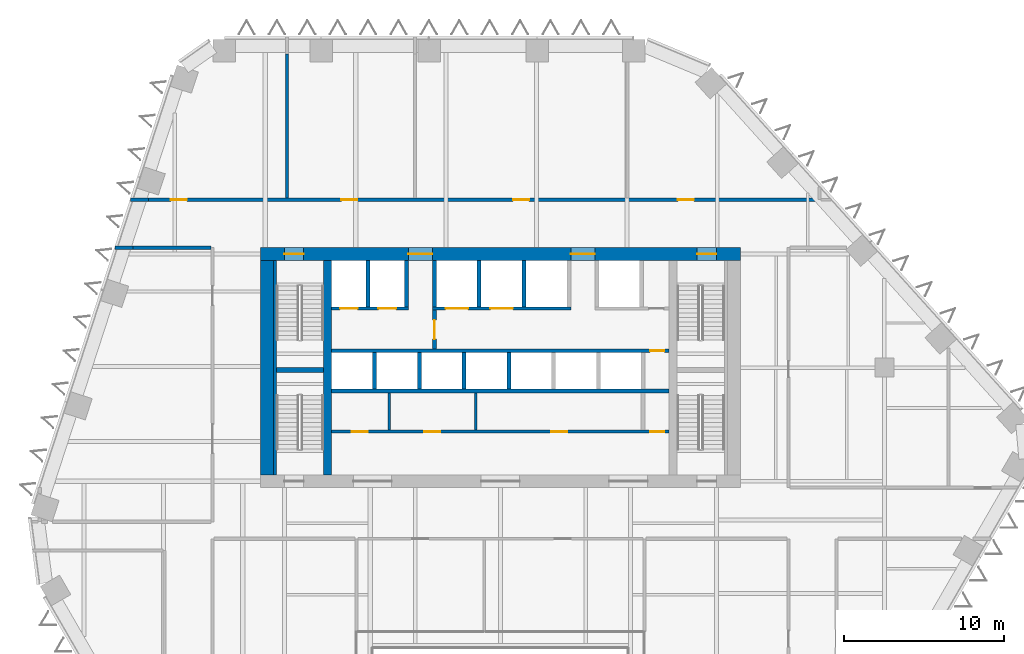
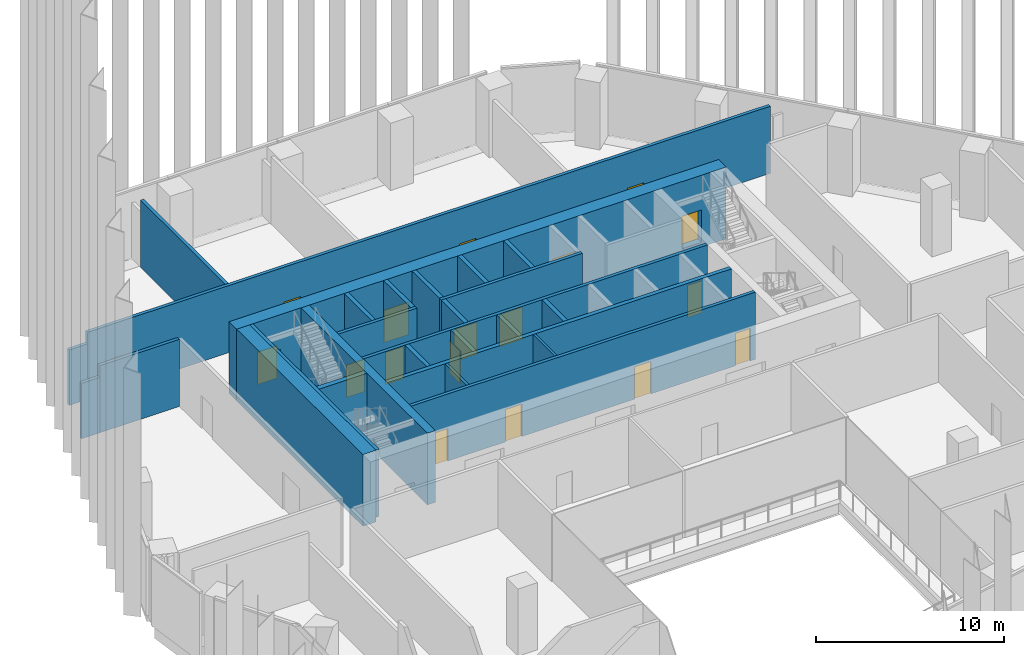
# One storey, part 12 of 18: 27 walls, 18 doors, 18 openings.
"""IFC4 building model written with IfcOpenShell, lengths in metres."""

from ifc_helpers import new_model, si_unit, direction, frame, frame_2d, origin, place, context, subcontext, project, spatial, rectangle, extrude, material, layer, layer_set, type_object, element, fill, save


model = new_model("IFC4")

# Units and contexts
model_context = context("Model", 3, precision=1e-05, world=origin(), true_north=direction((0.0, 1.0)))
body_context = subcontext(model_context, "Body", "Model", "MODEL_VIEW")
ifc_project = project(units=[si_unit("LENGTHUNIT", "METRE"), si_unit("AREAUNIT", "SQUARE_METRE"), si_unit("VOLUMEUNIT", "CUBIC_METRE"), si_unit("PLANEANGLEUNIT", "RADIAN"), si_unit("MASSUNIT", "GRAM", prefix="KILO")], contexts=[model_context])

# Site, building, storey
site_placement = place(None, origin())
site = spatial("IfcSite", under=ifc_project, at=site_placement, CompositionType="ELEMENT")
building_placement = place(site_placement, origin())
building = spatial("IfcBuilding", under=site, at=building_placement, Name="Isthmus Gate Tower", CompositionType="ELEMENT")
storey_placement = place(building_placement, frame((0.0, 0.0, 166.300048828125)))
storey = spatial("IfcBuildingStorey", under=building, at=storey_placement, Name="L41", CompositionType="ELEMENT", Elevation=166.300048828125)

# Wall, opening, door
ifc_material_1 = material(Name="Fire-rated blockwork masonry, 15 MPa", Category="masonry")
ifc_layer_1 = layer(ifc_material_1, 0.25)
ifc_layer_set_1 = layer_set([ifc_layer_1], Name="FIRE-FIGHTING LOBBY WALL 250 90 MIN")
wall_type_1 = type_object("IfcWallType", Name="FIRE-FIGHTING LOBBY WALL 250 90 MIN", PredefinedType="PARTITIONING", material=ifc_layer_set_1)
wall_1_placement = place(storey_placement, frame((-4.125, 8.64990234375, 0.0), z_axis=(0.0, 0.0, 1.0), x_axis=(0.0, 1.0, 0.0)))
wall_1 = element("IfcWall", 1, at=wall_1_placement, inside=storey, type_object=wall_type_1, Name="L41 FIRE-FIGHTING LOBBY WALL 250 90 MIN", PredefinedType="PARTITIONING", context=body_context, shape_type="SweptSolid", body=[
    extrude(rectangle(XDim=2.4501953125, YDim=0.25, at=frame_2d((1.22509765625, 0.0))), origin(), (0.0, 0.0, 1.0), 4.349853515625),
])
opening_1_placement = place(wall_1_placement, frame((0.625, 0.0, 0.0)))
opening_1 = element("IfcOpeningElement", 2, at=opening_1_placement, cuts=wall_1, Name="Opening DC-A14-01", PredefinedType="OPENING", context=body_context, shape_type="SweptSolid", body=[
    extrude(rectangle(XDim=1.199951171875, YDim=2.10009765625, at=frame_2d((0.60009765625, 1.050048828125))), frame((0.0, 0.135009765625, 0.0), z_axis=(0.0, -1.0, 0.0), x_axis=(1.0, 0.0, 0.0)), (0.0, 0.0, 1.0), 0.27001953125),
])
ifc_material_2 = material(Name="Steel door leaf, fire-rated", Category="steel")
door_type_1 = type_object("IfcDoorType", Name="LOBBY FIRE DOOR 1200 X 2100 90 MIN", OperationType="DOUBLE_DOOR_SINGLE_SWING", PredefinedType="DOOR", material=ifc_material_2)
door_1_placement = place(opening_1_placement, origin())
door_1 = element("IfcDoor", 3, at=door_1_placement, inside=storey, type_object=door_type_1, Name="Fire-fighting Lobby Door", OperationType="SINGLE_SWING_LEFT", OverallHeight=2.10009765625, OverallWidth=1.199951171875, PredefinedType="DOOR", context=body_context, shape_type="SweptSolid", body=[
    extrude(rectangle(XDim=1.199951171875, YDim=2.10009765625, at=frame_2d((0.60009765625, 1.050048828125))), frame((0.0, 0.02490234375, 0.0), z_axis=(0.0, -1.0, 0.0), x_axis=(1.0, 0.0, 0.0)), (0.0, 0.0, 1.0), 0.050048828125),
])
fill(opening_1, door_1)

# Walls
ifc_material_3 = material(Name="Concrete f'c 30 MPa", Category="concrete")
ifc_layer_2 = layer(ifc_material_3, 0.199951171875)
ifc_layer_set_2 = layer_set([ifc_layer_2], Name="Fire-rated block wall 200")
wall_type_2 = type_object("IfcWallType", Name="Fire-rated block wall 200", PredefinedType="PARTITIONING", material=ifc_layer_set_2)
wall_2_placement = place(storey_placement, frame((-24.09375, 15.0, 0.0), z_axis=(0.0, 0.0, 1.0), x_axis=(1.0, 0.0, 0.0)))
element("IfcWall", 4, at=wall_2_placement, inside=storey, type_object=wall_type_2, Name="Fire-rated wall", PredefinedType="PARTITIONING", context=body_context, shape_type="SweptSolid", body=[
    extrude(rectangle(XDim=1.1162109375, YDim=0.199951171875, at=frame_2d((0.55810546875, 0.0))), origin(), (0.0, 0.0, 1.0), 3.599853515625),
])
wall_3_placement = place(storey_placement, frame((-22.9775390625, 15.0, 0.0), z_axis=(0.0, 0.0, 1.0), x_axis=(1.0, 0.0, 0.0)))
element("IfcWall", 5, at=wall_3_placement, inside=storey, type_object=wall_type_2, Name="Fire-rated wall", PredefinedType="PARTITIONING", context=body_context, shape_type="SweptSolid", body=[
    extrude(rectangle(XDim=4.87744140625, YDim=0.199951171875, at=frame_2d((2.438720703125, 0.0))), origin(), (0.0, 0.0, 1.0), 4.349853515625),
])
wall_4_placement = place(storey_placement, frame((-23.118896484375, 18.0, 0.0), z_axis=(0.0, 0.0, 1.0), x_axis=(1.0, 0.0, 0.0)))
element("IfcWall", 6, at=wall_4_placement, inside=storey, type_object=wall_type_2, Name="Fire-rated wall", PredefinedType="PARTITIONING", context=body_context, shape_type="SweptSolid", body=[
    extrude(rectangle(XDim=1.1162109375, YDim=0.199951171875, at=frame_2d((0.55810546875, 0.0))), origin(), (0.0, 0.0, 1.0), 3.599853515625),
])

# Wall, openings, doors
wall_5_placement = place(storey_placement, frame((-22.002685546875, 18.0, 0.0), z_axis=(0.0, 0.0, 1.0), x_axis=(1.0, 0.0, 0.0)))
wall_5 = element("IfcWall", 7, at=wall_5_placement, inside=storey, type_object=wall_type_2, Name="Fire-rated wall", PredefinedType="PARTITIONING", context=body_context, shape_type="SweptSolid", body=[
    extrude(rectangle(XDim=41.8427734375, YDim=0.199951171875, at=frame_2d((20.92138671875, 0.0))), origin(), (0.0, 0.0, 1.0), 4.349853515625),
])
opening_2_placement = place(wall_5_placement, frame((1.39990234375, 0.0, 0.0)))
opening_2 = element("IfcOpeningElement", 8, at=opening_2_placement, cuts=wall_5, Name="Opening DP41-03", PredefinedType="OPENING", context=body_context, shape_type="SweptSolid", body=[
    extrude(rectangle(XDim=1.0, YDim=2.10009765625, at=frame_2d((0.5, 1.050048828125))), frame((0.0, 0.10986328125, 0.0), z_axis=(0.0, -1.0, 0.0), x_axis=(1.0, 0.0, 0.0)), (0.0, 0.0, 1.0), 0.219970703125),
])
opening_3_placement = place(wall_5_placement, frame((12.05224609375, 0.0, 0.0)))
opening_3 = element("IfcOpeningElement", 9, at=opening_3_placement, cuts=wall_5, Name="Opening DP41-04", PredefinedType="OPENING", context=body_context, shape_type="SweptSolid", body=[
    extrude(rectangle(XDim=1.0, YDim=2.10009765625, at=frame_2d((0.5, 1.050048828125))), frame((0.0, 0.10986328125, 0.0), z_axis=(0.0, -1.0, 0.0), x_axis=(1.0, 0.0, 0.0)), (0.0, 0.0, 1.0), 0.219970703125),
])
opening_4_placement = place(wall_5_placement, frame((22.80224609375, 0.0, 0.0)))
opening_4 = element("IfcOpeningElement", 10, at=opening_4_placement, cuts=wall_5, Name="Opening DP41-05", PredefinedType="OPENING", context=body_context, shape_type="SweptSolid", body=[
    extrude(rectangle(XDim=1.0, YDim=2.10009765625, at=frame_2d((0.5, 1.050048828125))), frame((0.0, 0.10986328125, 0.0), z_axis=(0.0, -1.0, 0.0), x_axis=(1.0, 0.0, 0.0)), (0.0, 0.0, 1.0), 0.219970703125),
])
opening_5_placement = place(wall_5_placement, frame((33.09228515625, 0.0, 0.0)))
opening_5 = element("IfcOpeningElement", 11, at=opening_5_placement, cuts=wall_5, Name="Opening DP41-06", PredefinedType="OPENING", context=body_context, shape_type="SweptSolid", body=[
    extrude(rectangle(XDim=1.0, YDim=2.10009765625, at=frame_2d((0.5, 1.050048828125))), frame((0.0, 0.10986328125, 0.0), z_axis=(0.0, -1.0, 0.0), x_axis=(1.0, 0.0, 0.0)), (0.0, 0.0, 1.0), 0.219970703125),
])
ifc_material_4 = material(Name="Steel fire door with intumescent seals", Category="steel")
door_type_2 = type_object("IfcDoorType", Name="Fire door 1000 x 2100", OperationType="SINGLE_SWING_LEFT", PredefinedType="DOOR", material=ifc_material_4)
door_2_placement = place(opening_2_placement, origin())
door_2 = element("IfcDoor", 12, at=door_2_placement, inside=storey, type_object=door_type_2, Name="Door DP41-03", OperationType="SINGLE_SWING_LEFT", OverallHeight=2.10009765625, OverallWidth=1.0, PredefinedType="DOOR", context=body_context, shape_type="SweptSolid", body=[
    extrude(rectangle(XDim=1.0, YDim=2.10009765625, at=frame_2d((0.5, 1.050048828125))), frame((0.0, 0.02490234375, 0.0), z_axis=(0.0, -1.0, 0.0), x_axis=(1.0, 0.0, 0.0)), (0.0, 0.0, 1.0), 0.050048828125),
])
fill(opening_2, door_2)
door_3_placement = place(opening_3_placement, origin())
door_3 = element("IfcDoor", 13, at=door_3_placement, inside=storey, type_object=door_type_2, Name="Door DP41-04", OperationType="SINGLE_SWING_LEFT", OverallHeight=2.10009765625, OverallWidth=1.0, PredefinedType="DOOR", context=body_context, shape_type="SweptSolid", body=[
    extrude(rectangle(XDim=1.0, YDim=2.10009765625, at=frame_2d((0.5, 1.050048828125))), frame((0.0, 0.02490234375, 0.0), z_axis=(0.0, -1.0, 0.0), x_axis=(1.0, 0.0, 0.0)), (0.0, 0.0, 1.0), 0.050048828125),
])
fill(opening_3, door_3)
door_4_placement = place(opening_4_placement, origin())
door_4 = element("IfcDoor", 14, at=door_4_placement, inside=storey, type_object=door_type_2, Name="Door DP41-05", OperationType="SINGLE_SWING_LEFT", OverallHeight=2.10009765625, OverallWidth=1.0, PredefinedType="DOOR", context=body_context, shape_type="SweptSolid", body=[
    extrude(rectangle(XDim=1.0, YDim=2.10009765625, at=frame_2d((0.5, 1.050048828125))), frame((0.0, 0.02490234375, 0.0), z_axis=(0.0, -1.0, 0.0), x_axis=(1.0, 0.0, 0.0)), (0.0, 0.0, 1.0), 0.050048828125),
])
fill(opening_4, door_4)
door_5_placement = place(opening_5_placement, origin())
door_5 = element("IfcDoor", 15, at=door_5_placement, inside=storey, type_object=door_type_2, Name="Door DP41-06", OperationType="SINGLE_SWING_LEFT", OverallHeight=2.10009765625, OverallWidth=1.0, PredefinedType="DOOR", context=body_context, shape_type="SweptSolid", body=[
    extrude(rectangle(XDim=1.0, YDim=2.10009765625, at=frame_2d((0.5, 1.050048828125))), frame((0.0, 0.02490234375, 0.0), z_axis=(0.0, -1.0, 0.0), x_axis=(1.0, 0.0, 0.0)), (0.0, 0.0, 1.0), 0.050048828125),
])
fill(opening_5, door_5)

# Walls
wall_6_placement = place(storey_placement, frame((-13.35009765625, 18.10009765625, 0.0), z_axis=(0.0, 0.0, 1.0), x_axis=(0.0, 1.0, 0.0)))
element("IfcWall", 16, at=wall_6_placement, inside=storey, type_object=wall_type_2, Name="Fire-rated wall", PredefinedType="PARTITIONING", context=body_context, shape_type="SweptSolid", body=[
    extrude(rectangle(XDim=9.0, YDim=0.199951171875, at=frame_2d((4.5, 0.0))), origin(), (0.0, 0.0, 1.0), 4.349853515625),
])
ifc_material_5 = material(Name="Concrete f'c 60 MPa", Category="concrete")
ifc_layer_3 = layer(ifc_material_5, 0.5)
ifc_layer_set_3 = layer_set([ifc_layer_3], Name="RC CORE SPINE WALL 500 F'C 60")
wall_type_3 = type_object("IfcWallType", Name="RC CORE SPINE WALL 500 F'C 60", PredefinedType="SOLIDWALL", material=ifc_layer_set_3)
wall_7_placement = place(storey_placement, frame((-10.800048828125, 0.800048828125, -0.300048828125), z_axis=(0.0, 0.0, 1.0), x_axis=(0.0, 1.0, 0.0)))
element("IfcWall", 17, at=wall_7_placement, inside=storey, type_object=wall_type_3, Name="str-corewall-L41-SPW", PredefinedType="SOLIDWALL", context=body_context, shape_type="SweptSolid", body=[
    extrude(rectangle(XDim=13.39990234375, YDim=0.5, at=frame_2d((6.699951171875, 0.0))), origin(), (0.0, 0.0, 1.0), 4.64990234375),
])

# Wall, openings, doors
ifc_material_6 = material(Name="Concrete f'c 60 MPa", Category="concrete")
ifc_layer_4 = layer(ifc_material_6, 0.800048828125)
ifc_layer_set_4 = layer_set([ifc_layer_4], Name="RC CORE WALL 800 F'C 60")
wall_type_4 = type_object("IfcWallType", Name="RC CORE WALL 800 F'C 60", PredefinedType="SOLIDWALL", material=ifc_layer_set_4)
wall_8_placement = place(storey_placement, frame((-15.0, 14.60009765625, -0.300048828125), z_axis=(0.0, 0.0, 1.0), x_axis=(1.0, 0.0, 0.0)))
wall_8 = element("IfcWall", 18, at=wall_8_placement, inside=storey, type_object=wall_type_4, Name="str-corewall-L41-N", PredefinedType="SOLIDWALL", context=body_context, shape_type="SweptSolid", body=[
    extrude(rectangle(XDim=30.0, YDim=0.800048828125, at=frame_2d((15.0, 0.0))), origin(), (0.0, 0.0, 1.0), 4.64990234375),
])
opening_6_placement = place(wall_8_placement, frame((9.25, 0.0, 0.300048828125)))
opening_6 = element("IfcOpeningElement", 19, at=opening_6_placement, cuts=wall_8, Name="Opening DC-A14-11", PredefinedType="OPENING", context=body_context, shape_type="SweptSolid", body=[
    extrude(rectangle(XDim=1.5, YDim=2.10009765625, at=frame_2d((0.75, 1.050048828125))), frame((0.0, 0.409912109375, 0.0), z_axis=(0.0, -1.0, 0.0), x_axis=(1.0, 0.0, 0.0)), (0.0, 0.0, 1.0), 0.820068359375),
])
opening_7_placement = place(wall_8_placement, frame((19.39990234375, 0.0, 0.300048828125)))
opening_7 = element("IfcOpeningElement", 20, at=opening_7_placement, cuts=wall_8, Name="Opening DC-A14-12", PredefinedType="OPENING", context=body_context, shape_type="SweptSolid", body=[
    extrude(rectangle(XDim=1.5, YDim=2.10009765625, at=frame_2d((0.75, 1.050048828125))), frame((0.0, 0.409912109375, 0.0), z_axis=(0.0, -1.0, 0.0), x_axis=(1.0, 0.0, 0.0)), (0.0, 0.0, 1.0), 0.820068359375),
])
opening_8_placement = place(wall_8_placement, frame((1.5, 0.0, 0.300048828125)))
opening_8 = element("IfcOpeningElement", 21, at=opening_8_placement, cuts=wall_8, Name="Opening DC-A14-13", PredefinedType="OPENING", context=body_context, shape_type="SweptSolid", body=[
    extrude(rectangle(XDim=1.199951171875, YDim=2.10009765625, at=frame_2d((0.60009765625, 1.050048828125))), frame((0.0, 0.409912109375, 0.0), z_axis=(0.0, -1.0, 0.0), x_axis=(1.0, 0.0, 0.0)), (0.0, 0.0, 1.0), 0.820068359375),
])
opening_9_placement = place(wall_8_placement, frame((27.300048828125, 0.0, 0.300048828125)))
opening_9 = element("IfcOpeningElement", 22, at=opening_9_placement, cuts=wall_8, Name="Opening DC-A14-14", PredefinedType="OPENING", context=body_context, shape_type="SweptSolid", body=[
    extrude(rectangle(XDim=1.199951171875, YDim=2.10009765625, at=frame_2d((0.60009765625, 1.050048828125))), frame((0.0, 0.409912109375, 0.0), z_axis=(0.0, -1.0, 0.0), x_axis=(1.0, 0.0, 0.0)), (0.0, 0.0, 1.0), 0.820068359375),
])
ifc_material_7 = material(Name="Steel door leaf, fire-rated", Category="steel")
door_type_3 = type_object("IfcDoorType", Name="LOBBY FIRE DOOR 1500 X 2100 60 MIN", OperationType="DOUBLE_DOOR_SINGLE_SWING", PredefinedType="DOOR", material=ifc_material_7)
door_6_placement = place(opening_7_placement, origin())
door_6 = element("IfcDoor", 23, at=door_6_placement, inside=storey, type_object=door_type_3, Name="Lobby Door PN-E", OperationType="DOUBLE_DOOR_SINGLE_SWING", OverallHeight=2.10009765625, OverallWidth=1.5, PredefinedType="DOOR", context=body_context, shape_type="SweptSolid", body=[
    extrude(rectangle(XDim=1.5, YDim=2.10009765625, at=frame_2d((0.75, 1.050048828125))), frame((0.0, 0.02490234375, 0.0), z_axis=(0.0, -1.0, 0.0), x_axis=(1.0, 0.0, 0.0)), (0.0, 0.0, 1.0), 0.050048828125),
])
fill(opening_7, door_6)
ifc_material_8 = material(Name="Steel door leaf, fire-rated", Category="steel")
door_type_4 = type_object("IfcDoorType", Name="LOBBY FIRE DOOR 1500 X 2100 90 MIN", OperationType="DOUBLE_DOOR_SINGLE_SWING", PredefinedType="DOOR", material=ifc_material_8)
door_7_placement = place(opening_6_placement, origin())
door_7 = element("IfcDoor", 24, at=door_7_placement, inside=storey, type_object=door_type_4, Name="Lobby Door PN-W", OperationType="DOUBLE_DOOR_SINGLE_SWING", OverallHeight=2.10009765625, OverallWidth=1.5, PredefinedType="DOOR", context=body_context, shape_type="SweptSolid", body=[
    extrude(rectangle(XDim=1.5, YDim=2.10009765625, at=frame_2d((0.75, 1.050048828125))), frame((0.0, 0.02490234375, 0.0), z_axis=(0.0, -1.0, 0.0), x_axis=(1.0, 0.0, 0.0)), (0.0, 0.0, 1.0), 0.050048828125),
])
fill(opening_6, door_7)
ifc_material_9 = material(Name="Steel door leaf, fire-rated", Category="steel")
door_type_5 = type_object("IfcDoorType", Name="STAIR FIRE DOOR 1200 X 2100 90 MIN", OperationType="SINGLE_SWING_LEFT", PredefinedType="DOOR", material=ifc_material_9)
door_8_placement = place(opening_8_placement, origin())
door_8 = element("IfcDoor", 25, at=door_8_placement, inside=storey, type_object=door_type_5, Name="Exit Stair 1 Door", OperationType="SINGLE_SWING_RIGHT", OverallHeight=2.10009765625, OverallWidth=1.199951171875, PredefinedType="DOOR", context=body_context, shape_type="SweptSolid", body=[
    extrude(rectangle(XDim=1.199951171875, YDim=2.10009765625, at=frame_2d((0.60009765625, 1.050048828125))), frame((0.0, 0.02490234375, 0.0), z_axis=(0.0, -1.0, 0.0), x_axis=(1.0, 0.0, 0.0)), (0.0, 0.0, 1.0), 0.050048828125),
])
fill(opening_8, door_8)
door_9_placement = place(opening_9_placement, origin())
door_9 = element("IfcDoor", 26, at=door_9_placement, inside=storey, type_object=door_type_5, Name="Exit Stair 2 Door", OperationType="SINGLE_SWING_LEFT", OverallHeight=2.10009765625, OverallWidth=1.199951171875, PredefinedType="DOOR", context=body_context, shape_type="SweptSolid", body=[
    extrude(rectangle(XDim=1.199951171875, YDim=2.10009765625, at=frame_2d((0.60009765625, 1.050048828125))), frame((0.0, 0.02490234375, 0.0), z_axis=(0.0, -1.0, 0.0), x_axis=(1.0, 0.0, 0.0)), (0.0, 0.0, 1.0), 0.050048828125),
])
fill(opening_9, door_9)

# Walls
wall_9_placement = place(storey_placement, frame((-14.60009765625, 0.800048828125, -0.300048828125), z_axis=(0.0, 0.0, 1.0), x_axis=(0.0, 1.0, 0.0)))
element("IfcWall", 27, at=wall_9_placement, inside=storey, type_object=wall_type_4, Name="str-corewall-L41-W", PredefinedType="SOLIDWALL", context=body_context, shape_type="SweptSolid", body=[
    extrude(rectangle(XDim=13.39990234375, YDim=0.800048828125, at=frame_2d((6.699951171875, 0.0))), origin(), (0.0, 0.0, 1.0), 4.64990234375),
])
ifc_material_10 = material(Name="Gypsum board on steel studs, fire-rated", Category="steel")
ifc_layer_5 = layer(ifc_material_10, 0.14990234375)
ifc_layer_set_5 = layer_set([ifc_layer_5], Name="ROOM PARTITION 150 60 MIN")
wall_type_5 = type_object("IfcWallType", Name="ROOM PARTITION 150 60 MIN", PredefinedType="PARTITIONING", material=ifc_layer_set_5)
for number, where, z_axis, x_axis, name in (
    (28, (-6.949951171875, 3.60009765625, 0.0), (0.0, 0.0, 1.0), (0.0, 1.0, 0.0), "L41 ROOM PARTITION 150 60 MIN"),
    (29, (-1.550048828125, 3.60009765625, 0.0), (0.0, 0.0, 1.0), (0.0, 1.0, 0.0), "L41 ROOM PARTITION 150 60 MIN"),
):
    element("IfcWall", number, at=place(storey_placement, frame(where, z_axis=z_axis, x_axis=x_axis)), inside=storey, type_object=wall_type_5, Name=name, PredefinedType="PARTITIONING", context=body_context, shape_type="SweptSolid", body=[
        extrude(rectangle(XDim=2.2998046875, YDim=0.14990234375, at=frame_2d((1.14990234375, 0.0))), origin(), (0.0, 0.0, 1.0), 4.349853515625),
    ])

# Wall, openings, doors
ifc_material_11 = material(Name="Fire-rated blockwork masonry, 15 MPa", Category="masonry")
ifc_layer_6 = layer(ifc_material_11, 0.199951171875)
ifc_layer_set_6 = layer_set([ifc_layer_6], Name="SHAFT FRONT WALL 200 120 MIN")
wall_type_6 = type_object("IfcWallType", Name="SHAFT FRONT WALL 200 120 MIN", PredefinedType="PARTITIONING", material=ifc_layer_set_6)
wall_10_placement = place(storey_placement, frame((-10.550048828125, 3.5, 0.0), z_axis=(0.0, 0.0, 1.0), x_axis=(1.0, 0.0, 0.0)))
wall_10 = element("IfcWall", 30, at=wall_10_placement, inside=storey, type_object=wall_type_6, Name="L41 SHAFT FRONT WALL 200 120 MIN", PredefinedType="PARTITIONING", context=body_context, shape_type="SweptSolid", body=[
    extrude(rectangle(XDim=21.10009765625, YDim=0.199951171875, at=frame_2d((10.550048828125, 0.0))), origin(), (0.0, 0.0, 1.0), 4.349853515625),
])
opening_10_placement = place(wall_10_placement, frame((1.262451171875, 0.0, 0.0)))
opening_10 = element("IfcOpeningElement", 31, at=opening_10_placement, cuts=wall_10, Name="Opening DC-A14-02", PredefinedType="OPENING", context=body_context, shape_type="SweptSolid", body=[
    extrude(rectangle(XDim=1.0, YDim=2.10009765625, at=frame_2d((0.5, 1.050048828125))), frame((0.0, 0.10986328125, 0.0), z_axis=(0.0, -1.0, 0.0), x_axis=(1.0, 0.0, 0.0)), (0.0, 0.0, 1.0), 0.219970703125),
])
opening_11_placement = place(wall_10_placement, frame((5.800048828125, 0.0, 0.0)))
opening_11 = element("IfcOpeningElement", 32, at=opening_11_placement, cuts=wall_10, Name="Opening DC-A14-03", PredefinedType="OPENING", context=body_context, shape_type="SweptSolid", body=[
    extrude(rectangle(XDim=1.0, YDim=2.10009765625, at=frame_2d((0.5, 1.050048828125))), frame((0.0, 0.10986328125, 0.0), z_axis=(0.0, -1.0, 0.0), x_axis=(1.0, 0.0, 0.0)), (0.0, 0.0, 1.0), 0.219970703125),
])
opening_12_placement = place(wall_10_placement, frame((13.71240234375, 0.0, 0.0)))
opening_12 = element("IfcOpeningElement", 33, at=opening_12_placement, cuts=wall_10, Name="Opening DC-A14-04", PredefinedType="OPENING", context=body_context, shape_type="SweptSolid", body=[
    extrude(rectangle(XDim=1.0, YDim=2.10009765625, at=frame_2d((0.5, 1.050048828125))), frame((0.0, 0.10986328125, 0.0), z_axis=(0.0, -1.0, 0.0), x_axis=(1.0, 0.0, 0.0)), (0.0, 0.0, 1.0), 0.219970703125),
])
opening_13_placement = place(wall_10_placement, frame((19.89990234375, 0.0, 0.0)))
opening_13 = element("IfcOpeningElement", 34, at=opening_13_placement, cuts=wall_10, Name="Opening DC-A14-05", PredefinedType="OPENING", context=body_context, shape_type="SweptSolid", body=[
    extrude(rectangle(XDim=0.89990234375, YDim=2.10009765625, at=frame_2d((0.449951171875, 1.050048828125))), frame((0.0, 0.10986328125, 0.0), z_axis=(0.0, -1.0, 0.0), x_axis=(1.0, 0.0, 0.0)), (0.0, 0.0, 1.0), 0.219970703125),
])
ifc_material_12 = material(Name="Steel door leaf, fire-rated", Category="steel")
door_type_6 = type_object("IfcDoorType", Name="FIRE DOOR 1000 X 2100 60 MIN", OperationType="SINGLE_SWING_LEFT", PredefinedType="DOOR", material=ifc_material_12)
door_10_placement = place(opening_10_placement, origin())
door_10 = element("IfcDoor", 35, at=door_10_placement, inside=storey, type_object=door_type_6, Name="Electrical Room Door", OperationType="SINGLE_SWING_LEFT", OverallHeight=2.10009765625, OverallWidth=1.0, PredefinedType="DOOR", context=body_context, shape_type="SweptSolid", body=[
    extrude(rectangle(XDim=1.0, YDim=2.10009765625, at=frame_2d((0.5, 1.050048828125))), frame((0.0, 0.02490234375, 0.0), z_axis=(0.0, -1.0, 0.0), x_axis=(1.0, 0.0, 0.0)), (0.0, 0.0, 1.0), 0.050048828125),
])
fill(opening_10, door_10)
door_11_placement = place(opening_11_placement, origin())
door_11 = element("IfcDoor", 36, at=door_11_placement, inside=storey, type_object=door_type_6, Name="Pump Room Door", OperationType="SINGLE_SWING_RIGHT", OverallHeight=2.10009765625, OverallWidth=1.0, PredefinedType="DOOR", context=body_context, shape_type="SweptSolid", body=[
    extrude(rectangle(XDim=1.0, YDim=2.10009765625, at=frame_2d((0.5, 1.050048828125))), frame((0.0, 0.02490234375, 0.0), z_axis=(0.0, -1.0, 0.0), x_axis=(1.0, 0.0, 0.0)), (0.0, 0.0, 1.0), 0.050048828125),
])
fill(opening_11, door_11)
door_12_placement = place(opening_12_placement, origin())
door_12 = element("IfcDoor", 37, at=door_12_placement, inside=storey, type_object=door_type_6, Name="Air Handling Room Door", OperationType="SINGLE_SWING_LEFT", OverallHeight=2.10009765625, OverallWidth=1.0, PredefinedType="DOOR", context=body_context, shape_type="SweptSolid", body=[
    extrude(rectangle(XDim=1.0, YDim=2.10009765625, at=frame_2d((0.5, 1.050048828125))), frame((0.0, 0.02490234375, 0.0), z_axis=(0.0, -1.0, 0.0), x_axis=(1.0, 0.0, 0.0)), (0.0, 0.0, 1.0), 0.050048828125),
])
fill(opening_12, door_12)
ifc_material_13 = material(Name="Steel door leaf, fire-rated", Category="steel")
door_type_7 = type_object("IfcDoorType", Name="RISER FIRE DOOR 900 X 2100 90 MIN", OperationType="SINGLE_SWING_LEFT", PredefinedType="DOOR", material=ifc_material_13)
door_13_placement = place(opening_13_placement, origin())
door_13 = element("IfcDoor", 38, at=door_13_placement, inside=storey, type_object=door_type_7, Name="Riser Door", OperationType="SINGLE_SWING_RIGHT", OverallHeight=2.10009765625, OverallWidth=0.89990234375, PredefinedType="DOOR", context=body_context, shape_type="SweptSolid", body=[
    extrude(rectangle(XDim=0.89990234375, YDim=2.10009765625, at=frame_2d((0.449951171875, 1.050048828125))), frame((0.0, 0.02490234375, 0.0), z_axis=(0.0, -1.0, 0.0), x_axis=(1.0, 0.0, 0.0)), (0.0, 0.0, 1.0), 0.050048828125),
])
fill(opening_13, door_13)

# Wall, opening, door
wall_11_placement = place(storey_placement, frame((-10.550048828125, 8.550048828125, 0.0), z_axis=(0.0, 0.0, 1.0), x_axis=(1.0, 0.0, 0.0)))
wall_11 = element("IfcWall", 39, at=wall_11_placement, inside=storey, type_object=wall_type_6, Name="L41 SHAFT FRONT WALL 200 120 MIN", PredefinedType="PARTITIONING", context=body_context, shape_type="SweptSolid", body=[
    extrude(rectangle(XDim=21.10009765625, YDim=0.199951171875, at=frame_2d((10.550048828125, 0.0))), origin(), (0.0, 0.0, 1.0), 4.349853515625),
])
opening_14_placement = place(wall_11_placement, frame((19.89990234375, 0.0, 0.0)))
opening_14 = element("IfcOpeningElement", 40, at=opening_14_placement, cuts=wall_11, Name="Opening DC-A14-06", PredefinedType="OPENING", context=body_context, shape_type="SweptSolid", body=[
    extrude(rectangle(XDim=0.89990234375, YDim=2.10009765625, at=frame_2d((0.449951171875, 1.050048828125))), frame((0.0, 0.10986328125, 0.0), z_axis=(0.0, -1.0, 0.0), x_axis=(1.0, 0.0, 0.0)), (0.0, 0.0, 1.0), 0.219970703125),
])
door_14_placement = place(opening_14_placement, origin())
door_14 = element("IfcDoor", 41, at=door_14_placement, inside=storey, type_object=door_type_7, Name="Riser Door", OperationType="SINGLE_SWING_RIGHT", OverallHeight=2.10009765625, OverallWidth=0.89990234375, PredefinedType="DOOR", context=body_context, shape_type="SweptSolid", body=[
    extrude(rectangle(XDim=0.89990234375, YDim=2.10009765625, at=frame_2d((0.449951171875, 1.050048828125))), frame((0.0, 0.02490234375, 0.0), z_axis=(0.0, -1.0, 0.0), x_axis=(1.0, 0.0, 0.0)), (0.0, 0.0, 1.0), 0.050048828125),
])
fill(opening_14, door_14)

# Wall, openings, doors
wall_12_placement = place(storey_placement, frame((-10.550048828125, 11.199951171875, 0.0), z_axis=(0.0, 0.0, 1.0), x_axis=(1.0, 0.0, 0.0)))
wall_12 = element("IfcWall", 42, at=wall_12_placement, inside=storey, type_object=wall_type_6, Name="L41 SHAFT FRONT WALL 200 120 MIN", PredefinedType="PARTITIONING", context=body_context, shape_type="SweptSolid", body=[
    extrude(rectangle(XDim=4.800048828125, YDim=0.199951171875, at=frame_2d((2.39990234375, 0.0))), origin(), (0.0, 0.0, 1.0), 4.349853515625),
])
opening_15_placement = place(wall_12_placement, frame((0.52490234375, 0.0, 0.0)))
opening_15 = element("IfcOpeningElement", 43, at=opening_15_placement, cuts=wall_12, Name="Opening LD-LF1", PredefinedType="OPENING", context=body_context, shape_type="SweptSolid", body=[
    extrude(rectangle(XDim=1.10009765625, YDim=2.10009765625, at=frame_2d((0.550048828125, 1.050048828125))), frame((0.0, 0.10986328125, 0.0), z_axis=(0.0, -1.0, 0.0), x_axis=(1.0, 0.0, 0.0)), (0.0, 0.0, 1.0), 0.219970703125),
])
opening_16_placement = place(wall_12_placement, frame((2.925048828125, 0.0, 0.0)))
opening_16 = element("IfcOpeningElement", 44, at=opening_16_placement, cuts=wall_12, Name="Opening LD-LF2", PredefinedType="OPENING", context=body_context, shape_type="SweptSolid", body=[
    extrude(rectangle(XDim=1.10009765625, YDim=2.10009765625, at=frame_2d((0.550048828125, 1.050048828125))), frame((0.0, 0.10986328125, 0.0), z_axis=(0.0, -1.0, 0.0), x_axis=(1.0, 0.0, 0.0)), (0.0, 0.0, 1.0), 0.219970703125),
])
ifc_material_14 = material(Name="Stainless steel sliding leaf", Category="steel")
door_type_8 = type_object("IfcDoorType", Name="LIFT LANDING FIRE DOOR 1100 X 2100 90 MIN", OperationType="DOUBLE_DOOR_SLIDING", PredefinedType="DOOR", material=ifc_material_14)
door_15_placement = place(opening_15_placement, origin())
door_15 = element("IfcDoor", 45, at=door_15_placement, inside=storey, type_object=door_type_8, Name="Lift Landing Door LF1", OperationType="DOUBLE_DOOR_SLIDING", OverallHeight=2.10009765625, OverallWidth=1.10009765625, PredefinedType="DOOR", context=body_context, shape_type="SweptSolid", body=[
    extrude(rectangle(XDim=1.10009765625, YDim=2.10009765625, at=frame_2d((0.550048828125, 1.050048828125))), frame((0.0, 0.02490234375, 0.0), z_axis=(0.0, -1.0, 0.0), x_axis=(1.0, 0.0, 0.0)), (0.0, 0.0, 1.0), 0.050048828125),
])
fill(opening_15, door_15)
door_16_placement = place(opening_16_placement, origin())
door_16 = element("IfcDoor", 46, at=door_16_placement, inside=storey, type_object=door_type_8, Name="Lift Landing Door LF2", OperationType="DOUBLE_DOOR_SLIDING", OverallHeight=2.10009765625, OverallWidth=1.10009765625, PredefinedType="DOOR", context=body_context, shape_type="SweptSolid", body=[
    extrude(rectangle(XDim=1.10009765625, YDim=2.10009765625, at=frame_2d((0.550048828125, 1.050048828125))), frame((0.0, 0.02490234375, 0.0), z_axis=(0.0, -1.0, 0.0), x_axis=(1.0, 0.0, 0.0)), (0.0, 0.0, 1.0), 0.050048828125),
])
fill(opening_16, door_16)

wall_13_placement = place(storey_placement, frame((-4.25, 11.199951171875, 0.0), z_axis=(0.0, 0.0, 1.0), x_axis=(1.0, 0.0, 0.0)))
wall_13 = element("IfcWall", 47, at=wall_13_placement, inside=storey, type_object=wall_type_6, Name="L41 SHAFT FRONT WALL 200 120 MIN", PredefinedType="PARTITIONING", context=body_context, shape_type="SweptSolid", body=[
    extrude(rectangle(XDim=8.64990234375, YDim=0.199951171875, at=frame_2d((4.324951171875, 0.0))), origin(), (0.0, 0.0, 1.0), 4.349853515625),
])
opening_17_placement = place(wall_13_placement, frame((0.824951171875, 0.0, 0.0)))
opening_17 = element("IfcOpeningElement", 48, at=opening_17_placement, cuts=wall_13, Name="Opening LD-LV1", PredefinedType="OPENING", context=body_context, shape_type="SweptSolid", body=[
    extrude(rectangle(XDim=1.39990234375, YDim=2.10009765625, at=frame_2d((0.699951171875, 1.050048828125))), frame((0.0, 0.10986328125, 0.0), z_axis=(0.0, -1.0, 0.0), x_axis=(1.0, 0.0, 0.0)), (0.0, 0.0, 1.0), 0.219970703125),
])
opening_18_placement = place(wall_13_placement, frame((3.625, 0.0, 0.0)))
opening_18 = element("IfcOpeningElement", 49, at=opening_18_placement, cuts=wall_13, Name="Opening LD-LV2", PredefinedType="OPENING", context=body_context, shape_type="SweptSolid", body=[
    extrude(rectangle(XDim=1.39990234375, YDim=2.10009765625, at=frame_2d((0.699951171875, 1.050048828125))), frame((0.0, 0.10986328125, 0.0), z_axis=(0.0, -1.0, 0.0), x_axis=(1.0, 0.0, 0.0)), (0.0, 0.0, 1.0), 0.219970703125),
])
ifc_material_15 = material(Name="Stainless steel sliding leaf", Category="steel")
door_type_9 = type_object("IfcDoorType", Name="LIFT LANDING FIRE DOOR 1400 X 2100 90 MIN", OperationType="DOUBLE_DOOR_SLIDING", PredefinedType="DOOR", material=ifc_material_15)
door_17_placement = place(opening_17_placement, origin())
door_17 = element("IfcDoor", 50, at=door_17_placement, inside=storey, type_object=door_type_9, Name="Lift Landing Door LV1", OperationType="DOUBLE_DOOR_SLIDING", OverallHeight=2.10009765625, OverallWidth=1.39990234375, PredefinedType="DOOR", context=body_context, shape_type="SweptSolid", body=[
    extrude(rectangle(XDim=1.39990234375, YDim=2.10009765625, at=frame_2d((0.699951171875, 1.050048828125))), frame((0.0, 0.02490234375, 0.0), z_axis=(0.0, -1.0, 0.0), x_axis=(1.0, 0.0, 0.0)), (0.0, 0.0, 1.0), 0.050048828125),
])
fill(opening_17, door_17)
door_18_placement = place(opening_18_placement, origin())
door_18 = element("IfcDoor", 51, at=door_18_placement, inside=storey, type_object=door_type_9, Name="Lift Landing Door LV2", OperationType="DOUBLE_DOOR_SLIDING", OverallHeight=2.10009765625, OverallWidth=1.39990234375, PredefinedType="DOOR", context=body_context, shape_type="SweptSolid", body=[
    extrude(rectangle(XDim=1.39990234375, YDim=2.10009765625, at=frame_2d((0.699951171875, 1.050048828125))), frame((0.0, 0.02490234375, 0.0), z_axis=(0.0, -1.0, 0.0), x_axis=(1.0, 0.0, 0.0)), (0.0, 0.0, 1.0), 0.050048828125),
])
fill(opening_18, door_18)

# Walls
ifc_material_16 = material(Name="Fire-rated blockwork masonry, 15 MPa", Category="masonry")
ifc_layer_7 = layer(ifc_material_16, 0.25)
ifc_layer_set_7 = layer_set([ifc_layer_7], Name="SHAFT WALL 250 120 MIN")
wall_type_7 = type_object("IfcWallType", Name="SHAFT WALL 250 120 MIN", PredefinedType="PARTITIONING", material=ifc_layer_set_7)
wall_14_placement = place(storey_placement, frame((-10.550048828125, 6.02490234375, 0.0), z_axis=(0.0, 0.0, 1.0), x_axis=(1.0, 0.0, 0.0)))
element("IfcWall", 52, at=wall_14_placement, inside=storey, type_object=wall_type_7, Name="L41 SHAFT WALL 250 120 MIN", PredefinedType="PARTITIONING", context=body_context, shape_type="SweptSolid", body=[
    extrude(rectangle(XDim=21.10009765625, YDim=0.25, at=frame_2d((10.550048828125, 0.0))), origin(), (0.0, 0.0, 1.0), 4.349853515625),
])
for number, where, z_axis, x_axis, name in (
    (53, (-7.875, 6.14990234375, 0.0), (0.0, 0.0, 1.0), (0.0, 1.0, 0.0), "L41 SHAFT WALL 250 120 MIN"),
    (54, (-5.074951171875, 6.14990234375, 0.0), (0.0, 0.0, 1.0), (0.0, 1.0, 0.0), "L41 SHAFT WALL 250 120 MIN"),
    (55, (-2.27490234375, 6.14990234375, 0.0), (0.0, 0.0, 1.0), (0.0, 1.0, 0.0), "L41 SHAFT WALL 250 120 MIN"),
    (56, (0.52490234375, 6.14990234375, 0.0), (0.0, 0.0, 1.0), (0.0, 1.0, 0.0), "L41 SHAFT WALL 250 120 MIN"),
):
    element("IfcWall", number, at=place(storey_placement, frame(where, z_axis=z_axis, x_axis=x_axis)), inside=storey, type_object=wall_type_7, Name=name, PredefinedType="PARTITIONING", context=body_context, shape_type="SweptSolid", body=[
        extrude(rectangle(XDim=2.300048828125, YDim=0.25, at=frame_2d((1.14990234375, 0.0))), origin(), (0.0, 0.0, 1.0), 4.349853515625),
    ])
for number, where, z_axis, x_axis, name in (
    (57, (-8.27490234375, 11.300048828125, 0.0), (0.0, 0.0, 1.0), (0.0, 1.0, 0.0), "L41 SHAFT WALL 250 120 MIN"),
    (58, (-5.875, 11.300048828125, 0.0), (0.0, 0.0, 1.0), (0.0, 1.0, 0.0), "L41 SHAFT WALL 250 120 MIN"),
    (59, (-4.125, 11.300048828125, 0.0), (0.0, 0.0, 1.0), (0.0, 1.0, 0.0), "L41 SHAFT WALL 250 120 MIN"),
    (60, (-1.324951171875, 11.300048828125, 0.0), (0.0, 0.0, 1.0), (0.0, 1.0, 0.0), "L41 SHAFT WALL 250 120 MIN"),
    (61, (1.47509765625, 11.300048828125, 0.0), (0.0, 0.0, 1.0), (0.0, 1.0, 0.0), "L41 SHAFT WALL 250 120 MIN"),
):
    element("IfcWall", number, at=place(storey_placement, frame(where, z_axis=z_axis, x_axis=x_axis)), inside=storey, type_object=wall_type_7, Name=name, PredefinedType="PARTITIONING", context=body_context, shape_type="SweptSolid", body=[
        extrude(rectangle(XDim=2.89990234375, YDim=0.25, at=frame_2d((1.449951171875, 0.0))), origin(), (0.0, 0.0, 1.0), 4.349853515625),
    ])
ifc_material_17 = material(Name="Concrete f'c 40 MPa", Category="concrete")
ifc_layer_8 = layer(ifc_material_17, 0.199951171875)
ifc_layer_set_8 = layer_set([ifc_layer_8], Name="STAIR ENCLOSURE WALL 200 180 MIN")
wall_type_8 = type_object("IfcWallType", Name="STAIR ENCLOSURE WALL 200 180 MIN", PredefinedType="SOLIDWALL", material=ifc_layer_set_8)
wall_15_placement = place(storey_placement, frame((-14.10009765625, 0.800048828125, 0.0), z_axis=(0.0, 0.0, 1.0), x_axis=(0.0, 1.0, 0.0)))
element("IfcWall", 62, at=wall_15_placement, inside=storey, type_object=wall_type_8, Name="L41 STAIR ENCLOSURE WALL 200 180 MIN", PredefinedType="SOLIDWALL", context=body_context, shape_type="SweptSolid", body=[
    extrude(rectangle(XDim=13.39990234375, YDim=0.199951171875, at=frame_2d((6.699951171875, 0.0))), origin(), (0.0, 0.0, 1.0), 4.349853515625),
])
ifc_material_18 = material(Name="Concrete f'c 40 MPa", Category="concrete")
ifc_layer_9 = layer(ifc_material_18, 0.300048828125)
ifc_layer_set_9 = layer_set([ifc_layer_9], Name="STAIR ENCLOSURE WALL 300 180 MIN")
wall_type_9 = type_object("IfcWallType", Name="STAIR ENCLOSURE WALL 300 180 MIN", PredefinedType="SOLIDWALL", material=ifc_layer_set_9)
wall_16_placement = place(storey_placement, frame((-14.0, 7.35009765625, 0.0), z_axis=(0.0, 0.0, 1.0), x_axis=(1.0, 0.0, 0.0)))
element("IfcWall", 63, at=wall_16_placement, inside=storey, type_object=wall_type_9, Name="L41 STAIR ENCLOSURE WALL 300 180 MIN", PredefinedType="SOLIDWALL", context=body_context, shape_type="SweptSolid", body=[
    extrude(rectangle(XDim=2.949951171875, YDim=0.300048828125, at=frame_2d((1.47509765625, 0.0))), origin(), (0.0, 0.0, 1.0), 4.349853515625),
])

save(model, "model.ifc")
